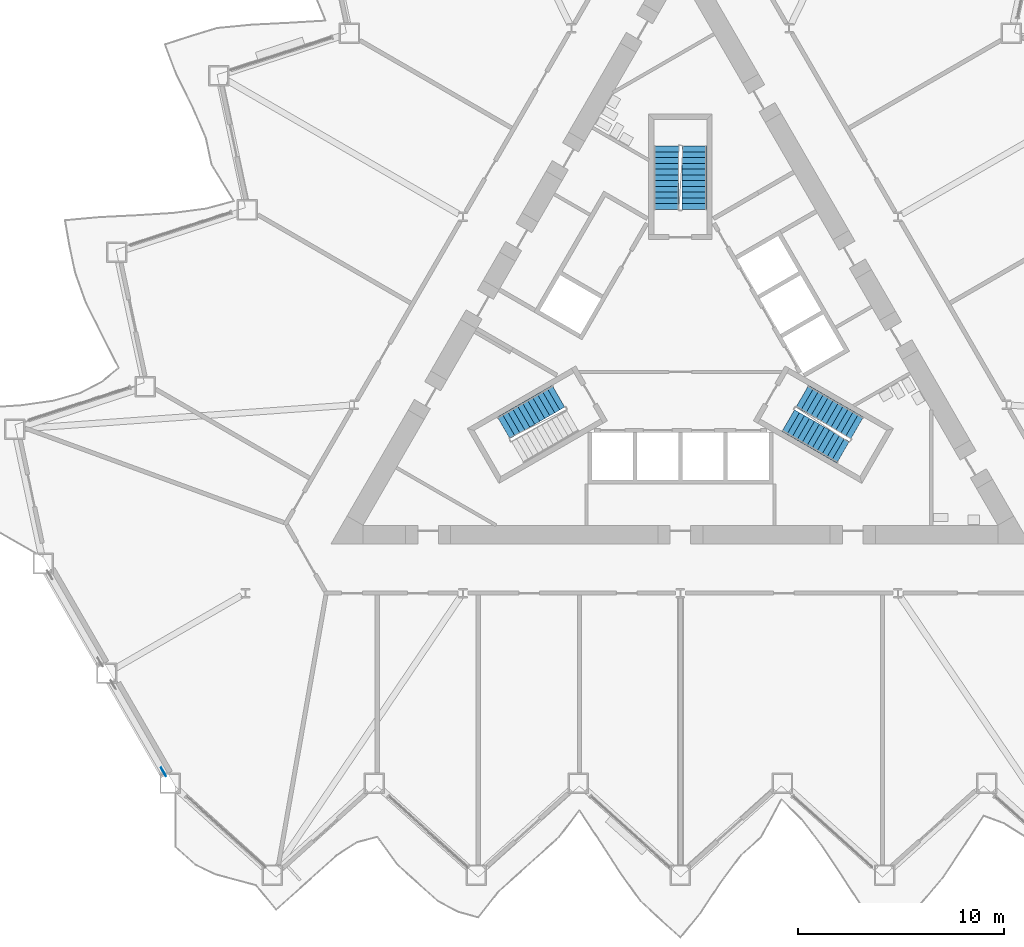
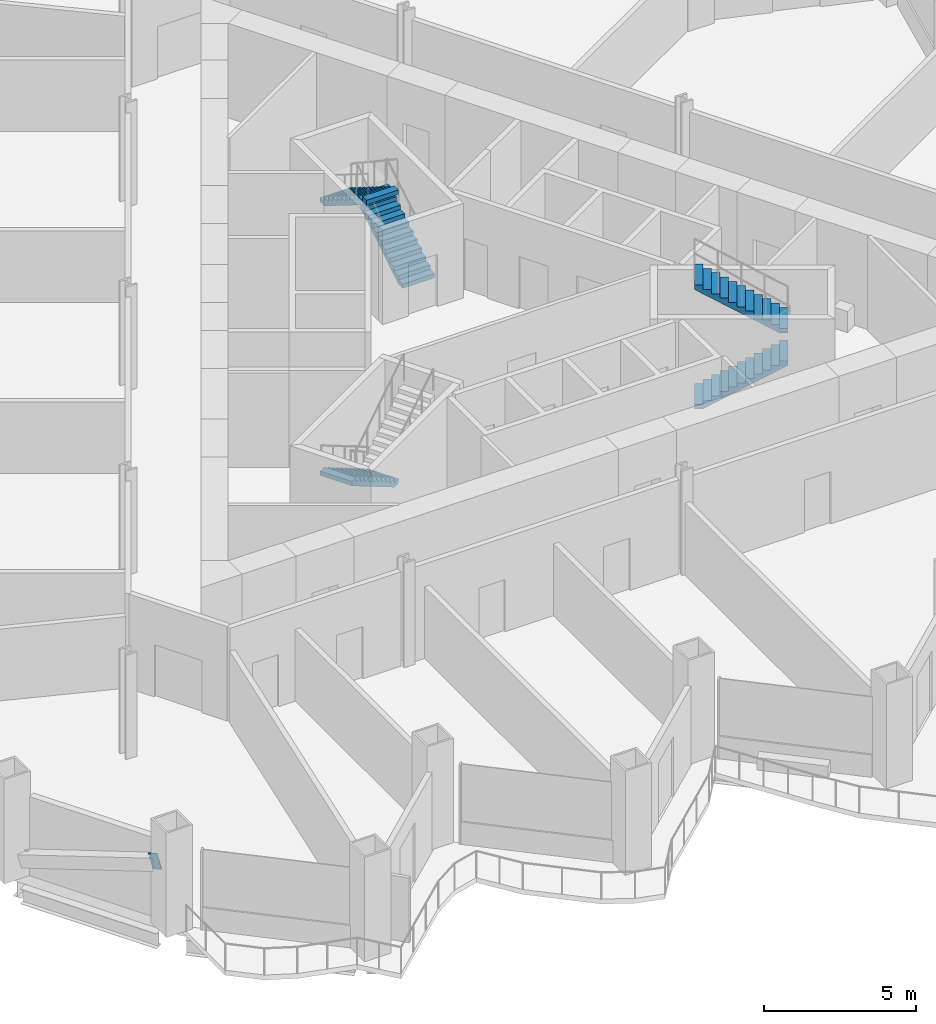
# One storey, part 13 of 21: 5 stair flights, 1 discrete accessory, 3 elements without a shape of their own.
"""IFC4 building model written with IfcOpenShell, lengths in metres."""

from ifc_helpers import new_model, si_unit, direction, frame, origin, origin_2d, place, context, subcontext, project, spatial, polyline, rectangle, outline, extrude, material, material_profile, profile_set, type_object, element, aggregate, save


model = new_model("IFC4")

# Units and contexts
model_context = context("Model", 3, precision=1e-05, world=origin(), true_north=direction((0.0, 1.0)))
body_context = subcontext(model_context, "Body", "Model", "MODEL_VIEW")
ifc_project = project(units=[si_unit("LENGTHUNIT", "METRE"), si_unit("AREAUNIT", "SQUARE_METRE"), si_unit("VOLUMEUNIT", "CUBIC_METRE"), si_unit("PLANEANGLEUNIT", "RADIAN"), si_unit("MASSUNIT", "GRAM", prefix="KILO")], contexts=[model_context])

# Site, building, storey
site_placement = place(None, origin())
site = spatial("IfcSite", under=ifc_project, at=site_placement, CompositionType="ELEMENT")
building_placement = place(site_placement, origin())
building = spatial("IfcBuilding", under=site, at=building_placement, Name="Cormorant Prow Tower", CompositionType="ELEMENT")
storey_placement = place(building_placement, frame((0.0, 0.0, 67.800048828125)))
storey = spatial("IfcBuildingStorey", under=building, at=storey_placement, Name="L14", CompositionType="ELEMENT", Elevation=67.800048828125)

# Stair, stair flight
ifc_material_1 = material(Name="Exit stair 24 risers")
stair_type = type_object("IfcStairType", Name="Exit stair 24 risers", PredefinedType="HALF_TURN_STAIR", material=ifc_material_1)
stair_1_placement = place(storey_placement, origin())
stair_1 = element("IfcStair", 1, at=stair_1_placement, inside=storey, type_object=stair_type, Name="L14 Exit stair ST1", PredefinedType="HALF_TURN_STAIR")
ifc_material_2 = material(Name="Concrete 5000 psi", Category="concrete")
stair_flight_type = type_object("IfcStairFlightType", Name="Stair flight 1219", PredefinedType="STRAIGHT", material=ifc_material_2)
stair_flight_1_placement = place(storey_placement, frame((-5.93310546875, -2.635009765625, 0.0), z_axis=(0.0, 0.0, 1.0), x_axis=(-0.866025403784, -0.5, 0.0)))
stair_flight_1 = element("IfcStairFlight", 2, at=stair_flight_1_placement, type_object=stair_flight_type, Name="ST1 flight 1", NumberOfRisers=12, NumberOfTreads=11, PredefinedType="STRAIGHT", RiserHeight=0.175, TreadLength=0.28, context=body_context, shape_type="SweptSolid", body=[
    extrude(outline(polyline([(0.0, 0.0), (0.0, 0.175048828125), (0.280029296875, 0.175048828125), (0.280029296875, 0.35009765625), (0.56005859375, 0.35009765625), (0.56005859375, 0.52490234375), (0.840087890625, 0.52490234375), (0.840087890625, 0.699951171875), (1.1201171875, 0.699951171875), (1.1201171875, 0.875), (1.39990234375, 0.875), (1.39990234375, 1.050048828125), (1.679931640625, 1.050048828125), (1.679931640625, 1.22509765625), (1.9599609375, 1.22509765625), (1.9599609375, 1.39990234375), (2.239990234375, 1.39990234375), (2.239990234375, 1.574951171875), (2.52001953125, 1.574951171875), (2.52001953125, 1.75), (2.800048828125, 1.75), (2.800048828125, 1.925048828125), (3.080078125, 1.925048828125), (3.080078125, 2.10009765625), (3.080078125, 1.748291015625), (0.28271484375, 0.0), (0.0, 0.0)])), frame((0.0, 0.609375, 0.0), z_axis=(0.0, -1.0, 0.0), x_axis=(1.0, 0.0, 0.0)), (0.0, 0.0, 1.0), 1.218994140625),
])
aggregate(stair_1, [stair_flight_1])

# Stair, stair flights
stair_2_placement = place(storey_placement, origin())
stair_2 = element("IfcStair", 3, at=stair_2_placement, inside=storey, type_object=stair_type, Name="L14 Exit stair ST2", PredefinedType="HALF_TURN_STAIR")
stair_flight_2_placement = place(storey_placement, frame((5.24853515625, -3.82080078125, 0.0), z_axis=(0.0, 0.0, 1.0), x_axis=(0.866025403784, -0.5, 0.0)))
stair_flight_2 = element("IfcStairFlight", 4, at=stair_flight_2_placement, type_object=stair_flight_type, Name="ST2 flight 1", NumberOfRisers=12, NumberOfTreads=11, PredefinedType="STRAIGHT", RiserHeight=0.175, TreadLength=0.28, context=body_context, shape_type="SweptSolid", body=[
    extrude(outline(polyline([(0.0, 0.0), (0.0, 0.175048828125), (0.280029296875, 0.175048828125), (0.280029296875, 0.35009765625), (0.56005859375, 0.35009765625), (0.56005859375, 0.52490234375), (0.840087890625, 0.52490234375), (0.840087890625, 0.699951171875), (1.1201171875, 0.699951171875), (1.1201171875, 0.875), (1.39990234375, 0.875), (1.39990234375, 1.050048828125), (1.679931640625, 1.050048828125), (1.679931640625, 1.22509765625), (1.9599609375, 1.22509765625), (1.9599609375, 1.39990234375), (2.239990234375, 1.39990234375), (2.239990234375, 1.574951171875), (2.52001953125, 1.574951171875), (2.52001953125, 1.75), (2.800048828125, 1.75), (2.800048828125, 1.925048828125), (3.080078125, 1.925048828125), (3.080078125, 2.10009765625), (3.080078125, 1.748291015625), (0.28271484375, 0.0), (0.0, 0.0)])), frame((0.0, 0.609375, 0.0), z_axis=(0.0, -1.0, 0.0), x_axis=(1.0, 0.0, 0.0)), (0.0, 0.0, 1.0), 1.218994140625),
])
stair_flight_3_placement = place(storey_placement, frame((8.6005859375, -4.175048828125, 2.099853515625), z_axis=(0.0, 0.0, 1.0), x_axis=(-0.866025403784, 0.5, 0.0)))
stair_flight_3 = element("IfcStairFlight", 5, at=stair_flight_3_placement, type_object=stair_flight_type, Name="ST2 flight 2", NumberOfRisers=12, NumberOfTreads=11, PredefinedType="STRAIGHT", RiserHeight=0.175, TreadLength=0.28, context=body_context, shape_type="SweptSolid", body=[
    extrude(outline(polyline([(0.0, 0.0), (0.0, 0.175048828125), (0.280029296875, 0.175048828125), (0.280029296875, 0.35009765625), (0.56005859375, 0.35009765625), (0.56005859375, 0.52490234375), (0.840087890625, 0.52490234375), (0.840087890625, 0.699951171875), (1.1201171875, 0.699951171875), (1.1201171875, 0.875), (1.39990234375, 0.875), (1.39990234375, 1.050048828125), (1.679931640625, 1.050048828125), (1.679931640625, 1.22509765625), (1.9599609375, 1.22509765625), (1.9599609375, 1.39990234375), (2.239990234375, 1.39990234375), (2.239990234375, 1.574951171875), (2.52001953125, 1.574951171875), (2.52001953125, 1.75), (2.800048828125, 1.75), (2.800048828125, 1.925048828125), (3.080078125, 1.925048828125), (3.080078125, 2.10009765625), (3.080078125, 1.748291015625), (0.28271484375, 0.0), (0.0, 0.0)])), frame((0.0, 0.609375, 0.0), z_axis=(0.0, -1.0, 0.0), x_axis=(1.0, 0.0, 0.0)), (0.0, 0.0, 1.0), 1.218994140625),
])
aggregate(stair_2, [stair_flight_2, stair_flight_3])

stair_3_placement = place(storey_placement, origin())
stair_3 = element("IfcStair", 6, at=stair_3_placement, inside=storey, type_object=stair_type, Name="L14 Exit stair ST3", PredefinedType="HALF_TURN_STAIR")
stair_flight_4_placement = place(storey_placement, frame((0.6845703125, 6.455810546875, 0.0), z_axis=(0.0, 0.0, 1.0), x_axis=(0.0, 1.0, 0.0)))
stair_flight_4 = element("IfcStairFlight", 7, at=stair_flight_4_placement, type_object=stair_flight_type, Name="ST3 flight 1", NumberOfRisers=12, NumberOfTreads=11, PredefinedType="STRAIGHT", RiserHeight=0.175, TreadLength=0.28, context=body_context, shape_type="SweptSolid", body=[
    extrude(outline(polyline([(0.0, 0.0), (0.0, 0.175048828125), (0.280029296875, 0.175048828125), (0.280029296875, 0.35009765625), (0.56005859375, 0.35009765625), (0.56005859375, 0.52490234375), (0.840087890625, 0.52490234375), (0.840087890625, 0.699951171875), (1.1201171875, 0.699951171875), (1.1201171875, 0.875), (1.39990234375, 0.875), (1.39990234375, 1.050048828125), (1.679931640625, 1.050048828125), (1.679931640625, 1.22509765625), (1.9599609375, 1.22509765625), (1.9599609375, 1.39990234375), (2.239990234375, 1.39990234375), (2.239990234375, 1.574951171875), (2.52001953125, 1.574951171875), (2.52001953125, 1.75), (2.800048828125, 1.75), (2.800048828125, 1.925048828125), (3.080078125, 1.925048828125), (3.080078125, 2.10009765625), (3.080078125, 1.748291015625), (0.28271484375, 0.0), (0.0, 0.0)])), frame((0.0, 0.609375, 0.0), z_axis=(0.0, -1.0, 0.0), x_axis=(1.0, 0.0, 0.0)), (0.0, 0.0, 1.0), 1.218994140625),
])
stair_flight_5_placement = place(storey_placement, frame((-0.6845703125, 9.535888671875, 2.099853515625), z_axis=(0.0, 0.0, 1.0), x_axis=(0.0, -1.0, 0.0)))
stair_flight_5 = element("IfcStairFlight", 8, at=stair_flight_5_placement, type_object=stair_flight_type, Name="ST3 flight 2", NumberOfRisers=12, NumberOfTreads=11, PredefinedType="STRAIGHT", RiserHeight=0.175, TreadLength=0.28, context=body_context, shape_type="SweptSolid", body=[
    extrude(outline(polyline([(0.0, 0.0), (0.0, 0.175048828125), (0.280029296875, 0.175048828125), (0.280029296875, 0.35009765625), (0.56005859375, 0.35009765625), (0.56005859375, 0.52490234375), (0.840087890625, 0.52490234375), (0.840087890625, 0.699951171875), (1.1201171875, 0.699951171875), (1.1201171875, 0.875), (1.39990234375, 0.875), (1.39990234375, 1.050048828125), (1.679931640625, 1.050048828125), (1.679931640625, 1.22509765625), (1.9599609375, 1.22509765625), (1.9599609375, 1.39990234375), (2.239990234375, 1.39990234375), (2.239990234375, 1.574951171875), (2.52001953125, 1.574951171875), (2.52001953125, 1.75), (2.800048828125, 1.75), (2.800048828125, 1.925048828125), (3.080078125, 1.925048828125), (3.080078125, 2.10009765625), (3.080078125, 1.748291015625), (0.28271484375, 0.0), (0.0, 0.0)])), frame((0.0, 0.609375, 0.0), z_axis=(0.0, -1.0, 0.0), x_axis=(1.0, 0.0, 0.0)), (0.0, 0.0, 1.0), 1.218994140625),
])
aggregate(stair_3, [stair_flight_4, stair_flight_5])

# Discrete accessory
ifc_material_3 = material(Name="Structural steel ASTM A500 Gr C", Category="steel")
ifc_material_profile = material_profile(ifc_material_3, rectangle(XDim=0.031982421875, YDim=0.60791015625, at=origin_2d()), Name="Gusset plate 32x608")
ifc_profile_set = profile_set([ifc_material_profile], Name="Structural steel ASTM A500 Gr C")
discrete_accessory_type = type_object("IfcDiscreteAccessoryType", Name="Gusset plate 32x608", PredefinedType="BRACKET", material=ifc_profile_set)
discrete_accessory_placement = place(storey_placement, frame((-25.232421875, -20.763427734375, 2.32958984375), z_axis=(0.475651503409, -0.824369614413, 0.306871937683), x_axis=(0.866161185697, 0.499764745047, 0.0)))
element("IfcDiscreteAccessory", 9, at=discrete_accessory_placement, inside=storey, type_object=discrete_accessory_type, Name="Gusset plate GP1 L14.WSW01.g1", PredefinedType="BRACKET", context=body_context, shape_type="SweptSolid", body=[
    extrude(rectangle(XDim=0.031982421875, YDim=0.60791015625, at=origin_2d()), origin(), (0.0, 0.0, 1.0), 0.35009765625),
])

save(model, "model.ifc")
